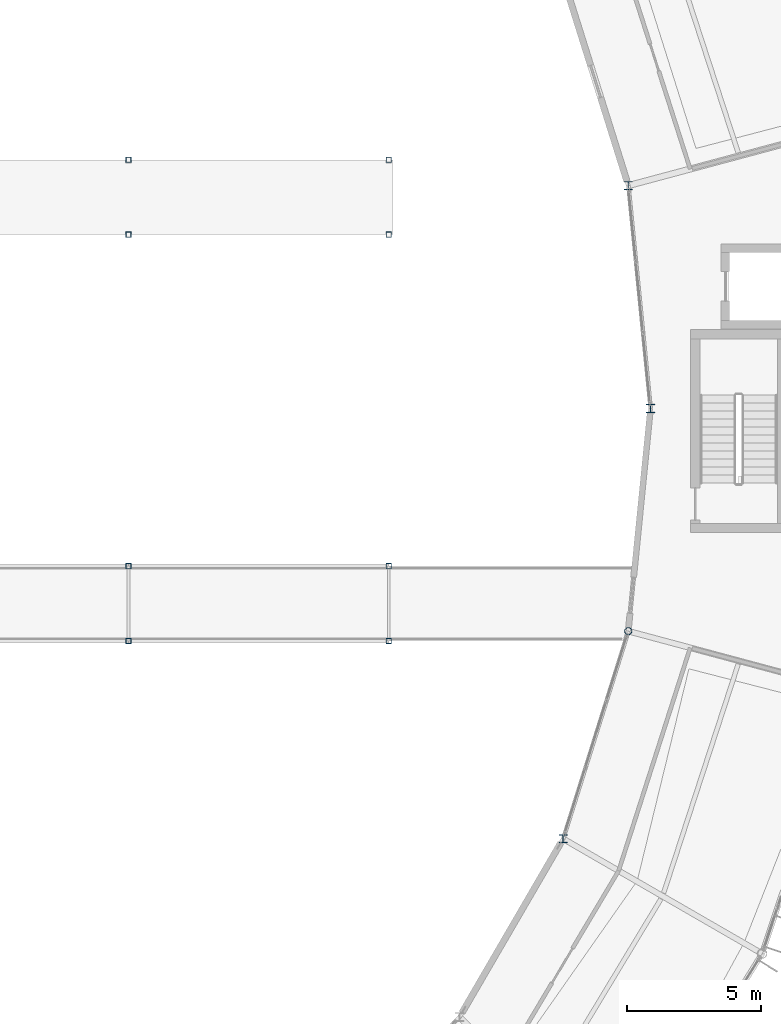
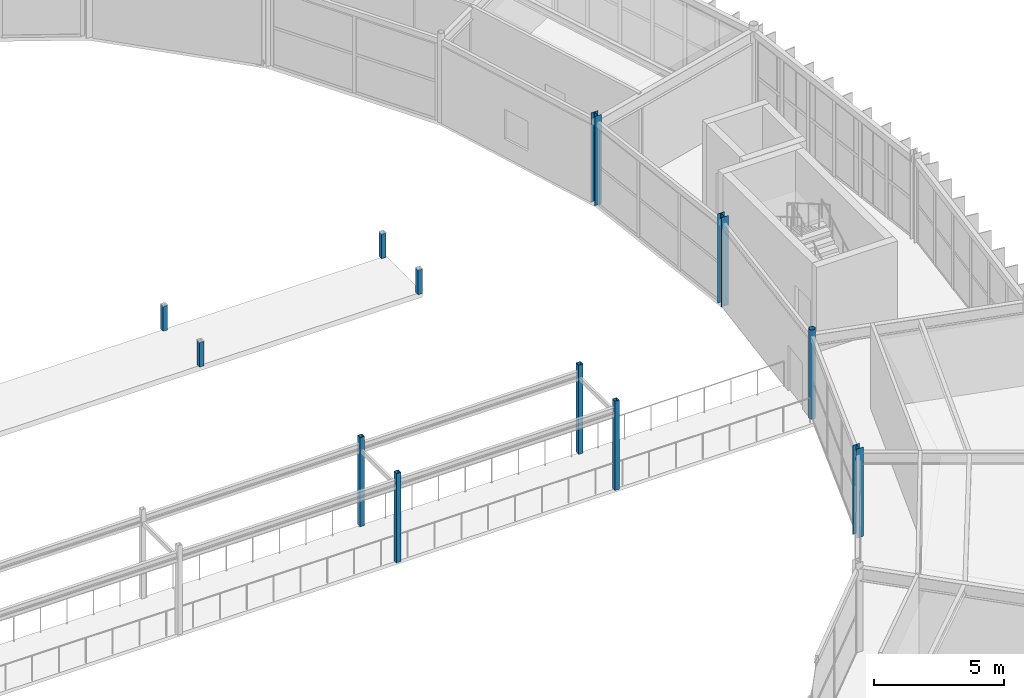
# One storey, part 9 of 147: 12 columns.
"""IFC4 building model written with IfcOpenShell, lengths in metres."""

from ifc_helpers import new_model, si_unit, direction, frame, origin, origin_2d, place, context, subcontext, project, spatial, hollow_rectangle, hollow_circle, i_section, extrude, material, material_profile, profile_set, type_object, element, save


model = new_model("IFC4")

# Units and contexts
model_context = context("Model", 3, precision=1e-05, world=origin(), true_north=direction((0.0, 1.0)))
body_context = subcontext(model_context, "Body", "Model", "MODEL_VIEW")
ifc_project = project(units=[si_unit("LENGTHUNIT", "METRE"), si_unit("AREAUNIT", "SQUARE_METRE"), si_unit("VOLUMEUNIT", "CUBIC_METRE"), si_unit("PLANEANGLEUNIT", "RADIAN"), si_unit("MASSUNIT", "GRAM", prefix="KILO")], contexts=[model_context])

# Site, building, storey
site_placement = place(None, origin())
site = spatial("IfcSite", under=ifc_project, at=site_placement, CompositionType="ELEMENT")
building_placement = place(site_placement, origin())
building = spatial("IfcBuilding", under=site, at=building_placement, Name="Karori Crest Natural Sciences Institute", CompositionType="ELEMENT")
storey_placement = place(building_placement, frame((0.0, 0.0, 9.10009765625)))
storey = spatial("IfcBuildingStorey", under=building, at=storey_placement, Name="L02", CompositionType="ELEMENT", Elevation=9.10009765625)

# Columns
ifc_material_1 = material(Name="Structural steel AS/NZS 3679.1 Grade 350", Category="steel")
ifc_material_profile_1 = material_profile(ifc_material_1, i_section(OverallWidth=0.306884765625, OverallDepth=0.31494140625, WebThickness=0.011962890625, FlangeThickness=0.018798828125, FilletRadius=0.01708984375, at=origin_2d()), Name="310UC118")
ifc_profile_set_1 = profile_set([ifc_material_profile_1], Name="Structural steel AS/NZS 3679.1 Grade 350")
column_type_1 = type_object("IfcColumnType", Name="CT-05", PredefinedType="COLUMN", material=ifc_profile_set_1)
column_1_placement = place(storey_placement, frame((90.800048828125, 49.89990234375, 0.0), z_axis=(0.0, 0.0, 1.0), x_axis=(1.0, 0.0, 0.0)))
element("IfcColumn", 1, at=column_1_placement, inside=storey, type_object=column_type_1, Name="Column C-0008", PredefinedType="COLUMN", context=body_context, shape_type="SweptSolid", body=[
    extrude(i_section(OverallWidth=0.306884765625, OverallDepth=0.31494140625, WebThickness=0.011962890625, FlangeThickness=0.018798828125, FilletRadius=0.01708984375, at=origin_2d()), origin(), (0.0, 0.0, 1.0), 4.199951171875),
])
ifc_material_2 = material(Name="Hollow structural steel AS/NZS 1163 Grade C350", Category="steel")
ifc_material_profile_2 = material_profile(ifc_material_2, hollow_rectangle(XDim=0.199951171875, YDim=0.199951171875, WallThickness=0.010009765625, at=origin_2d()), Name="SHS200x200x10")
ifc_profile_set_2 = profile_set([ifc_material_profile_2], Name="Hollow structural steel AS/NZS 1163 Grade C350")
column_type_2 = type_object("IfcColumnType", Name="CT-13-EL", PredefinedType="COLUMN", material=ifc_profile_set_2)
for number, where, z_axis, x_axis, name in (
    (2, (71.27001953125, 41.199951171875, 0.0), (0.0, 0.0, 1.0), (1.0, 0.0, 0.0), "Column C-0420"),
    (3, (71.27001953125, 44.0, 0.0), (0.0, 0.0, 1.0), (1.0, 0.0, 0.0), "Column C-0425"),
    (4, (81.010009765625, 41.199951171875, 0.0), (0.0, 0.0, 1.0), (1.0, 0.0, 0.0), "Column C-0430"),
    (5, (81.010009765625, 44.0, 0.0), (0.0, 0.0, 1.0), (1.0, 0.0, 0.0), "Column C-0435"),
):
    element("IfcColumn", number, at=place(storey_placement, frame(where, z_axis=z_axis, x_axis=x_axis)), inside=storey, type_object=column_type_2, Name=name, PredefinedType="COLUMN", context=body_context, shape_type="SweptSolid", body=[
        extrude(hollow_rectangle(XDim=0.199951171875, YDim=0.199951171875, WallThickness=0.010009765625, at=origin_2d()), origin(), (0.0, 0.0, 1.0), 4.199951171875),
    ])
for number, where, z_axis, x_axis, name in (
    (6, (71.27001953125, 56.39990234375, 0.0), (0.0, 0.0, 1.0), (1.0, 0.0, 0.0), "Column C-0456"),
    (7, (71.27001953125, 59.199951171875, 0.0), (0.0, 0.0, 1.0), (1.0, 0.0, 0.0), "Column C-0460"),
    (8, (81.010009765625, 56.39990234375, 0.0), (0.0, 0.0, 1.0), (1.0, 0.0, 0.0), "Column C-0464"),
    (9, (81.010009765625, 59.199951171875, 0.0), (0.0, 0.0, 1.0), (1.0, 0.0, 0.0), "Column C-0468"),
):
    element("IfcColumn", number, at=place(storey_placement, frame(where, z_axis=z_axis, x_axis=x_axis)), inside=storey, type_object=column_type_2, Name=name, PredefinedType="COLUMN", context=body_context, shape_type="SweptSolid", body=[
        extrude(hollow_rectangle(XDim=0.199951171875, YDim=0.199951171875, WallThickness=0.010009765625, at=origin_2d()), origin(), (0.0, 0.0, 1.0), 1.14990234375),
    ])
ifc_material_profile_3 = material_profile(ifc_material_2, hollow_circle(Radius=0.136474609375, WallThickness=0.00927734375, at=origin_2d()), Name="CHS273.0x9.3")
ifc_profile_set_3 = profile_set([ifc_material_profile_3], Name="Hollow structural steel AS/NZS 1163 Grade C350")
column_type_3 = type_object("IfcColumnType", Name="CT-16", PredefinedType="COLUMN", material=ifc_profile_set_3)
column_2_placement = place(storey_placement, frame((89.968505859375, 41.56591796875, 0.0), z_axis=(0.0, 0.0, 1.0), x_axis=(1.0, 0.0, 0.0)))
element("IfcColumn", 10, at=column_2_placement, inside=storey, type_object=column_type_3, Name="Column C-0386", PredefinedType="COLUMN", context=body_context, shape_type="SweptSolid", body=[
    extrude(hollow_circle(Radius=0.136474609375, WallThickness=0.00927734375, at=origin_2d()), origin(), (0.0, 0.0, 1.0), 4.199951171875),
])
ifc_material_profile_4 = material_profile(ifc_material_1, i_section(OverallWidth=0.304931640625, OverallDepth=0.30810546875, WebThickness=0.010009765625, FlangeThickness=0.015380859375, FilletRadius=0.01708984375, at=origin_2d()), Name="310UC96.8")
ifc_profile_set_4 = profile_set([ifc_material_profile_4], Name="Structural steel AS/NZS 3679.1 Grade 350")
column_type_4 = type_object("IfcColumnType", Name="CT-25", PredefinedType="COLUMN", material=ifc_profile_set_4)
for number, where, z_axis, x_axis, name in (
    (11, (89.968505859375, 58.23388671875, 0.0), (0.0, 0.0, 1.0), (1.0, 0.0, 0.0), "Column C-0026"),
    (12, (87.531005859375, 33.800048828125, 0.0), (0.0, 0.0, 1.0), (1.0, 0.0, 0.0), "Column C-0368"),
):
    element("IfcColumn", number, at=place(storey_placement, frame(where, z_axis=z_axis, x_axis=x_axis)), inside=storey, type_object=column_type_4, Name=name, PredefinedType="COLUMN", context=body_context, shape_type="SweptSolid", body=[
        extrude(i_section(OverallWidth=0.304931640625, OverallDepth=0.30810546875, WebThickness=0.010009765625, FlangeThickness=0.015380859375, FilletRadius=0.01708984375, at=origin_2d()), origin(), (0.0, 0.0, 1.0), 4.199951171875),
    ])

save(model, "model.ifc")
